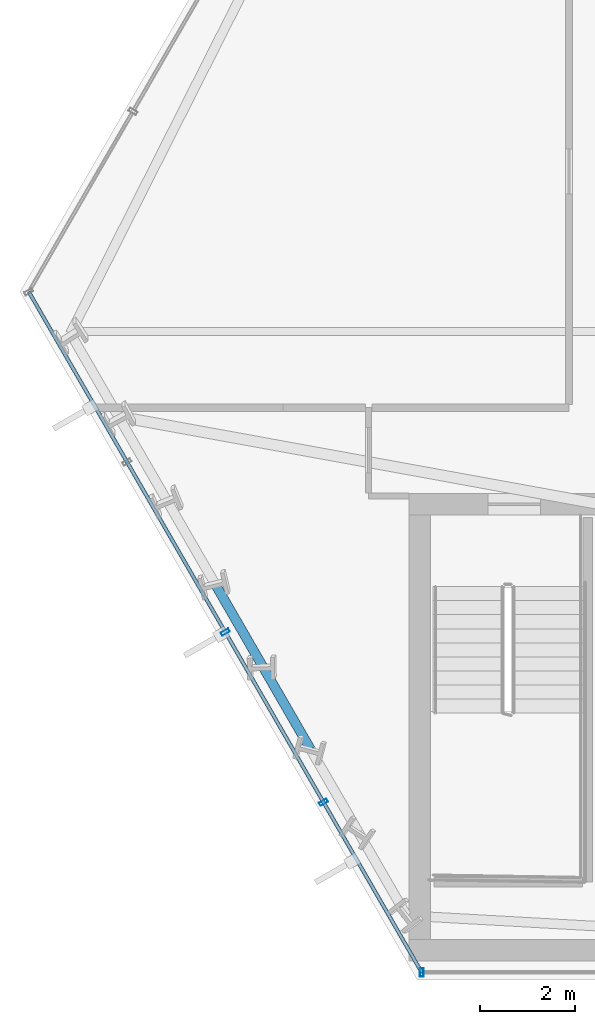
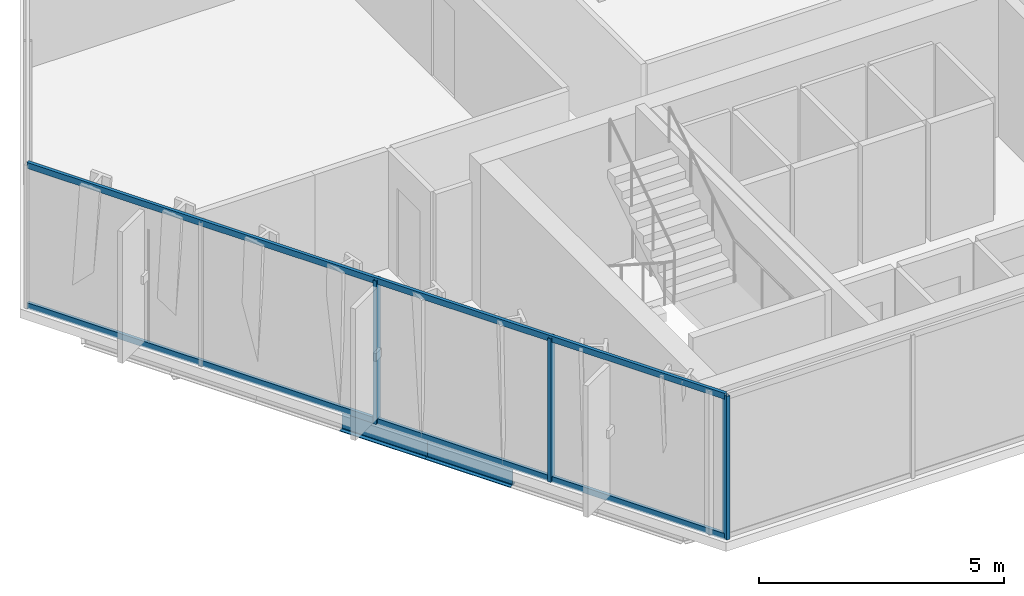
# One storey, part 2 of 33: 5 members, 2 beams, 2 elements without a shape of their own.
"""IFC4 building model written with IfcOpenShell, lengths in metres."""

from ifc_helpers import new_model, si_unit, direction, frame, origin, origin_2d, place, context, subcontext, project, spatial, hollow_rectangle, i_section, extrude, material, layer, layer_set, material_profile, profile_set, type_object, element, aggregate, save


model = new_model("IFC4")

# Units and contexts
model_context = context("Model", 3, precision=1e-05, world=origin(), true_north=direction((0.0, 1.0)))
body_context = subcontext(model_context, "Body", "Model", "MODEL_VIEW")
ifc_project = project(units=[si_unit("LENGTHUNIT", "METRE"), si_unit("AREAUNIT", "SQUARE_METRE"), si_unit("VOLUMEUNIT", "CUBIC_METRE"), si_unit("PLANEANGLEUNIT", "RADIAN"), si_unit("MASSUNIT", "GRAM", prefix="KILO")], contexts=[model_context])

# Site, building, storey
site_placement = place(None, origin())
site = spatial("IfcSite", under=ifc_project, at=site_placement, CompositionType="ELEMENT")
building_placement = place(site_placement, origin())
building = spatial("IfcBuilding", under=site, at=building_placement, Name="Ndaravel Arena Tower", CompositionType="ELEMENT")
storey_placement = place(building_placement, frame((0.0, 0.0, 43.60009765625)))
storey = spatial("IfcBuildingStorey", under=building, at=storey_placement, Name="L08", CompositionType="ELEMENT", Elevation=43.60009765625)

# Beams
ifc_material_1 = material(Name="Steel S355", Category="steel")
ifc_material_profile_1 = material_profile(ifc_material_1, i_section(OverallWidth=0.199951171875, OverallDepth=0.5, WebThickness=0.01025390625, FlangeThickness=0.01611328125, FilletRadius=0.02099609375, at=origin_2d()), Name="IPE 500")
ifc_profile_set_1 = profile_set([ifc_material_profile_1], Name="Steel S355")
beam_type = type_object("IfcBeamType", Name="BM-SPAN-IPE500", PredefinedType="SPANDREL", material=ifc_profile_set_1)
beam_1_placement = place(storey_placement, frame((22.3662109375, 13.326904296875, -0.47021484375), z_axis=(0.499907881037, -0.86607858216, 0.0), x_axis=(0.86607858216, 0.499907881037, 0.0)))
element("IfcBeam", 1, at=beam_1_placement, inside=storey, type_object=beam_type, Name="L08 Perimeter Spandrel Beam SP-23", PredefinedType="SPANDREL", context=body_context, shape_type="SweptSolid", body=[
    extrude(i_section(OverallWidth=0.199951171875, OverallDepth=0.5, WebThickness=0.01025390625, FlangeThickness=0.01611328125, FilletRadius=0.02099609375, at=origin_2d()), origin(), (0.0, 0.0, 1.0), 2.013671875),
])
beam_2_placement = place(storey_placement, frame((23.372802734375, 11.5830078125, -0.47021484375), z_axis=(0.500051323872, -0.865995769906, 0.0), x_axis=(0.865995769906, 0.500051323872, 0.0)))
element("IfcBeam", 2, at=beam_2_placement, inside=storey, type_object=beam_type, Name="L08 Perimeter Spandrel Beam SP-24", PredefinedType="SPANDREL", context=body_context, shape_type="SweptSolid", body=[
    extrude(i_section(OverallWidth=0.199951171875, OverallDepth=0.5, WebThickness=0.01025390625, FlangeThickness=0.01611328125, FilletRadius=0.02099609375, at=origin_2d()), origin(), (0.0, 0.0, 1.0), 2.013427734375),
])

# Curtain wall, member
ifc_material_2 = material(Name="Aluminium", Category="aluminium")
ifc_layer_1 = layer(ifc_material_2, 0.179931640625)
ifc_layer_set_1 = layer_set([ifc_layer_1], Name="Aluminium")
curtain_wall_type_1 = type_object("IfcCurtainWallType", Name="CW-SYS-03", PredefinedType="NOTDEFINED", material=ifc_layer_set_1)
curtain_wall_1_placement = place(storey_placement, origin())
curtain_wall_1 = element("IfcCurtainWall", 3, at=curtain_wall_1_placement, inside=storey, type_object=curtain_wall_type_1, Name="L08 Faceted Crystal Curtain Wall CW-L08-E01", PredefinedType="NOTDEFINED")
ifc_material_3 = material(Name="Aluminium", Category="aluminium")
ifc_material_profile_2 = material_profile(ifc_material_3, hollow_rectangle(XDim=0.074951171875, YDim=0.179931640625, WallThickness=0.00390625, at=origin_2d()), Name="CW MULLION 75x180x4")
ifc_profile_set_2 = profile_set([ifc_material_profile_2], Name="Aluminium")
member_type_1 = type_object("IfcMemberType", Name="MEM-CW-MUL180", PredefinedType="MULLION", material=ifc_profile_set_2)
member_1_placement = place(storey_placement, frame((26.7119140625, 5.159912109375, 0.0), z_axis=(0.0, 0.0, 1.0), x_axis=(1.0, 0.0, 0.0)))
member_1 = element("IfcMember", 4, at=member_1_placement, type_object=member_type_1, Name="CW-L08-E01 Mullion 00", PredefinedType="MULLION", context=body_context, shape_type="SweptSolid", body=[
    extrude(hollow_rectangle(XDim=0.074951171875, YDim=0.179931640625, WallThickness=0.00390625, at=origin_2d()), origin(), (0.0, 0.0, 1.0), 3.579833984375),
])
aggregate(curtain_wall_1, [member_1])

# Curtain wall, members
ifc_material_4 = material(Name="Aluminium", Category="aluminium")
ifc_layer_2 = layer(ifc_material_4, 0.179931640625)
ifc_layer_set_2 = layer_set([ifc_layer_2], Name="Aluminium")
curtain_wall_type_2 = type_object("IfcCurtainWallType", Name="CW-SYS-02", PredefinedType="NOTDEFINED", material=ifc_layer_set_2)
curtain_wall_2_placement = place(storey_placement, origin())
curtain_wall_2 = element("IfcCurtainWall", 5, at=curtain_wall_2_placement, inside=storey, type_object=curtain_wall_type_2, Name="L08 Faceted Crystal Curtain Wall CW-L08-E06", PredefinedType="NOTDEFINED")
member_2_placement = place(storey_placement, frame((22.59228515625, 12.294921875, 0.0), z_axis=(0.0, 0.0, 1.0), x_axis=(0.5, -0.866025403784, 0.0)))
member_2 = element("IfcMember", 6, at=member_2_placement, type_object=member_type_1, Name="CW-L08-E06 Mullion 02", PredefinedType="MULLION", context=body_context, shape_type="SweptSolid", body=[
    extrude(hollow_rectangle(XDim=0.074951171875, YDim=0.179931640625, WallThickness=0.00390625, at=origin_2d()), origin(), (0.0, 0.0, 1.0), 3.579833984375),
])
member_3_placement = place(storey_placement, frame((24.652099609375, 8.7275390625, 0.0), z_axis=(0.0, 0.0, 1.0), x_axis=(0.5, -0.866025403784, 0.0)))
member_3 = element("IfcMember", 7, at=member_3_placement, type_object=member_type_1, Name="CW-L08-E06 Mullion 03", PredefinedType="MULLION", context=body_context, shape_type="SweptSolid", body=[
    extrude(hollow_rectangle(XDim=0.074951171875, YDim=0.179931640625, WallThickness=0.00390625, at=origin_2d()), origin(), (0.0, 0.0, 1.0), 3.579833984375),
])
ifc_material_5 = material(Name="Aluminium", Category="aluminium")
ifc_material_profile_3 = material_profile(ifc_material_5, hollow_rectangle(XDim=0.074951171875, YDim=0.14990234375, WallThickness=0.00390625, at=origin_2d()), Name="CW TRANSOM 75x150x4")
ifc_profile_set_3 = profile_set([ifc_material_profile_3], Name="Aluminium")
member_type_2 = type_object("IfcMemberType", Name="MEM-CW-TRN150", PredefinedType="USERDEFINED", material=ifc_profile_set_3)
member_4_placement = place(storey_placement, frame((18.472900390625, 19.429931640625, 0.039794921875), z_axis=(0.500009742867, -0.866019778664, 0.0), x_axis=(0.866019778664, 0.500009742867, 0.0)))
member_4 = element("IfcMember", 8, at=member_4_placement, type_object=member_type_2, Name="CW-L08-E06 Transom 01", ObjectType="TRANSOM", PredefinedType="USERDEFINED", context=body_context, shape_type="SweptSolid", body=[
    extrude(hollow_rectangle(XDim=0.074951171875, YDim=0.14990234375, WallThickness=0.00390625, at=origin_2d()), origin(), (0.0, 0.0, 1.0), 16.477783203125),
])
member_5_placement = place(storey_placement, frame((18.472900390625, 19.429931640625, 3.539794921875), z_axis=(0.500009742867, -0.866019778664, 0.0), x_axis=(0.866019778664, 0.500009742867, 0.0)))
member_5 = element("IfcMember", 9, at=member_5_placement, type_object=member_type_2, Name="CW-L08-E06 Transom 02", ObjectType="TRANSOM", PredefinedType="USERDEFINED", context=body_context, shape_type="SweptSolid", body=[
    extrude(hollow_rectangle(XDim=0.074951171875, YDim=0.14990234375, WallThickness=0.00390625, at=origin_2d()), origin(), (0.0, 0.0, 1.0), 16.477783203125),
])
aggregate(curtain_wall_2, [member_2, member_3, member_4, member_5])

save(model, "model.ifc")
